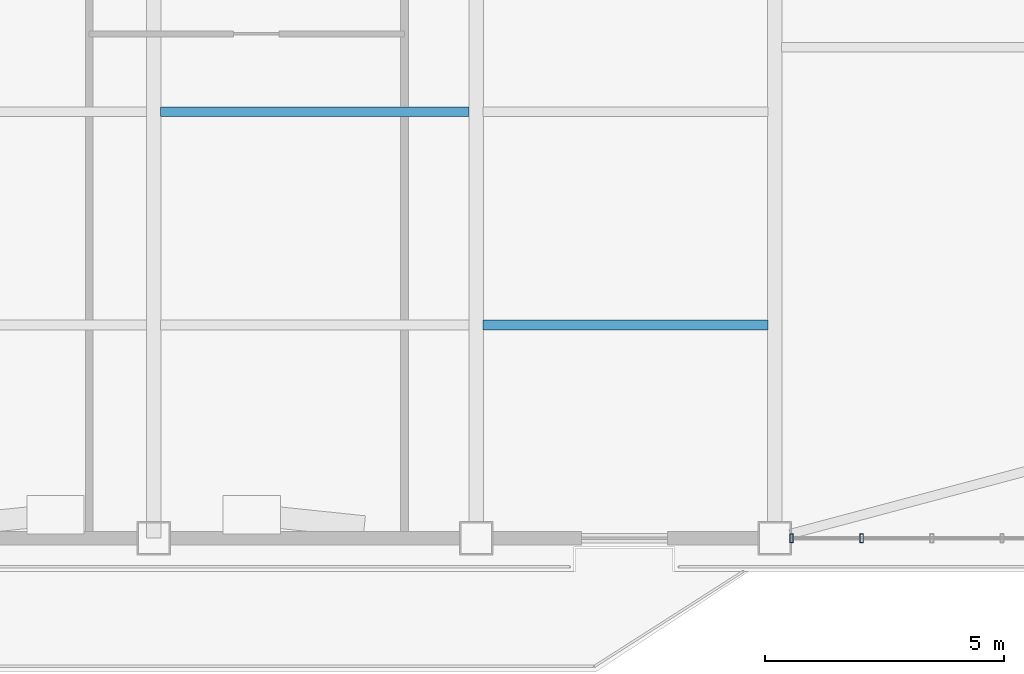
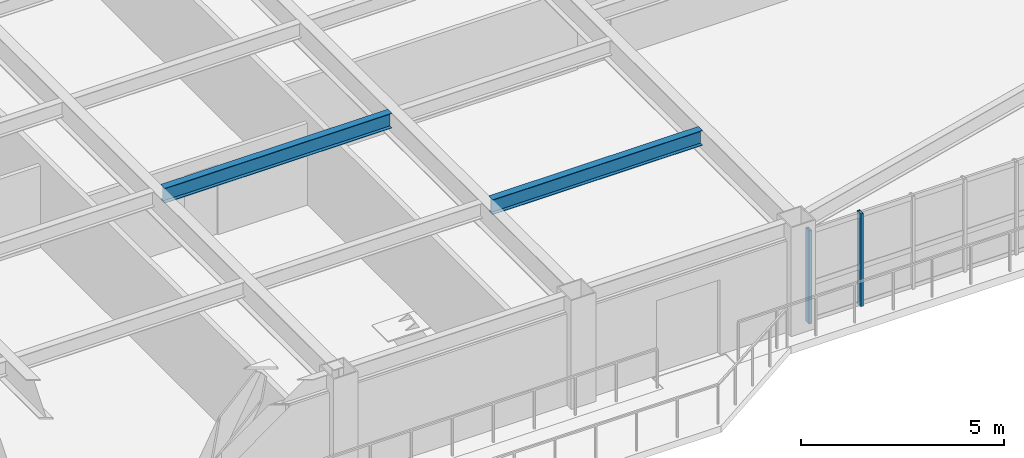
# One storey, part 4 of 17: 2 beams, 2 members, 1 element without a shape of its own.
"""IFC4 building model written with IfcOpenShell, lengths in metres."""

from ifc_helpers import new_model, si_unit, direction, frame, origin, origin_2d, place, context, subcontext, project, spatial, hollow_rectangle, i_section, extrude, source, transform, mapped, material, layer, layer_set, material_profile, profile_set, type_object, element, aggregate, save


model = new_model("IFC4")

# Units and contexts
model_context = context("Model", 3, precision=1e-05, world=origin(), true_north=direction((0.0, 1.0)))
body_context = subcontext(model_context, "Body", "Model", "MODEL_VIEW")
ifc_project = project(units=[si_unit("LENGTHUNIT", "METRE"), si_unit("AREAUNIT", "SQUARE_METRE"), si_unit("VOLUMEUNIT", "CUBIC_METRE"), si_unit("PLANEANGLEUNIT", "RADIAN"), si_unit("MASSUNIT", "GRAM", prefix="KILO")], contexts=[model_context])

# Site, building, storey
site_placement = place(None, origin())
site = spatial("IfcSite", under=ifc_project, at=site_placement, CompositionType="ELEMENT")
building_placement = place(site_placement, origin())
building = spatial("IfcBuilding", under=site, at=building_placement, Name="Giltprow Tower", CompositionType="ELEMENT")
storey_placement = place(building_placement, frame((0.0, 0.0, 195.699951171875)))
storey = spatial("IfcBuildingStorey", under=building, at=storey_placement, Name="L49", CompositionType="ELEMENT", Elevation=195.699951171875)

# Beams
ifc_material_1 = material(Name="Structural steel Q355B", Category="steel")
ifc_material_profile_1 = material_profile(ifc_material_1, i_section(OverallWidth=0.199951171875, OverallDepth=0.449951171875, WebThickness=0.009033203125, FlangeThickness=0.013916015625, at=origin_2d()), Name="HN 450x200x9x14")
ifc_profile_set_1 = profile_set([ifc_material_profile_1], Name="Structural steel Q355B")
beam_type = type_object("IfcBeamType", Name="BM-JOIST-HN450", PredefinedType="JOIST", material=ifc_profile_set_1)
shared_shape_1 = source(origin(), body_context, "Body", "SweptSolid", [
    extrude(i_section(OverallWidth=0.199951171875, OverallDepth=0.449951171875, WebThickness=0.009033203125, FlangeThickness=0.013916015625, at=origin_2d()), origin(), (0.0, 0.0, 1.0), 6.4599609375),
])
beam_1_placement = place(storey_placement, frame((37.695068359375, 19.60302734375, 3.045166015625), z_axis=(1.0, 0.0, 0.0), x_axis=(0.0, 1.0, 0.0)))
element("IfcBeam", 1, at=beam_1_placement, inside=storey, type_object=beam_type, Name="L49 Composite Floor Joist 2-3", PredefinedType="JOIST", context=body_context, shape_type="MappedRepresentation", body=[
    mapped(shared_shape_1, transform((0.0, 0.0, 0.0), x_axis=(1.0, 0.0, 0.0), y_axis=(0.0, 1.0, 0.0), z_axis=(0.0, 0.0, 1.0), scale=1.0)),
])
shared_shape_2 = source(origin(), body_context, "Body", "SweptSolid", [
    extrude(i_section(OverallWidth=0.199951171875, OverallDepth=0.449951171875, WebThickness=0.009033203125, FlangeThickness=0.013916015625, at=origin_2d()), origin(), (0.0, 0.0, 1.0), 5.9599609375),
])
beam_2_placement = place(storey_placement, frame((44.445068359375, 15.14208984375, 3.045166015625), z_axis=(1.0, 0.0, 0.0), x_axis=(0.0, 1.0, 0.0)))
element("IfcBeam", 2, at=beam_2_placement, inside=storey, type_object=beam_type, Name="L49 Composite Floor Joist 1-4", PredefinedType="JOIST", context=body_context, shape_type="MappedRepresentation", body=[
    mapped(shared_shape_2, transform((0.0, 0.0, 0.0), x_axis=(1.0, 0.0, 0.0), y_axis=(0.0, 1.0, 0.0), z_axis=(0.0, 0.0, 1.0), scale=1.0)),
])

# Curtain wall, members
ifc_material_2 = material(Name="Anodized bronze", Category="metal")
ifc_layer = layer(ifc_material_2, 0.179931640625, Name="Anodized bronze")
ifc_layer_set = layer_set([ifc_layer], Name="Anodized bronze")
curtain_wall_type = type_object("IfcCurtainWallType", Name="CW-HTL-BRONZE", PredefinedType="NOTDEFINED", material=ifc_layer_set)
curtain_wall_placement = place(storey_placement, origin())
curtain_wall = element("IfcCurtainWall", 3, at=curtain_wall_placement, inside=storey, type_object=curtain_wall_type, Name="L49 South Recessed Curtain Wall 6", PredefinedType="NOTDEFINED")
ifc_material_profile_2 = material_profile(ifc_material_2, hollow_rectangle(XDim=0.074951171875, YDim=0.179931640625, WallThickness=0.008056640625, at=origin_2d()), Name="RHS 180x75x8")
ifc_profile_set_2 = profile_set([ifc_material_profile_2], Name="Anodized bronze")
member_type = type_object("IfcMemberType", Name="CW-MULLION-180x75", PredefinedType="MULLION", material=ifc_profile_set_2)
shared_shape_3 = source(origin(), body_context, "Body", "SweptSolid", [
    extrude(hollow_rectangle(XDim=0.074951171875, YDim=0.179931640625, WallThickness=0.008056640625, at=origin_2d()), origin(), (0.0, 0.0, 1.0), 2.80517578125),
])
member_1_placement = place(storey_placement, frame((50.89990234375, 10.679931640625, -0.02001953125), z_axis=(0.0, 0.0, 1.0), x_axis=(1.0, 0.0, 0.0)))
member_1 = element("IfcMember", 4, at=member_1_placement, type_object=member_type, Name="L49 South Recessed Curtain Wall 6 Mullion 1", PredefinedType="MULLION", context=body_context, shape_type="MappedRepresentation", body=[
    mapped(shared_shape_3, transform((0.0, 0.0, 0.0), x_axis=(1.0, 0.0, 0.0), y_axis=(0.0, 1.0, 0.0), z_axis=(0.0, 0.0, 1.0), scale=1.0)),
])
member_2_placement = place(storey_placement, frame((52.367919921875, 10.679931640625, -0.02001953125), z_axis=(0.0, 0.0, 1.0), x_axis=(1.0, 0.0, 0.0)))
member_2 = element("IfcMember", 5, at=member_2_placement, type_object=member_type, Name="L49 South Recessed Curtain Wall 6 Mullion 2", PredefinedType="MULLION", context=body_context, shape_type="MappedRepresentation", body=[
    mapped(shared_shape_3, transform((0.0, 0.0, 0.0), x_axis=(1.0, 0.0, 0.0), y_axis=(0.0, 1.0, 0.0), z_axis=(0.0, 0.0, 1.0), scale=1.0)),
])
aggregate(curtain_wall, [member_1, member_2])

save(model, "model.ifc")
